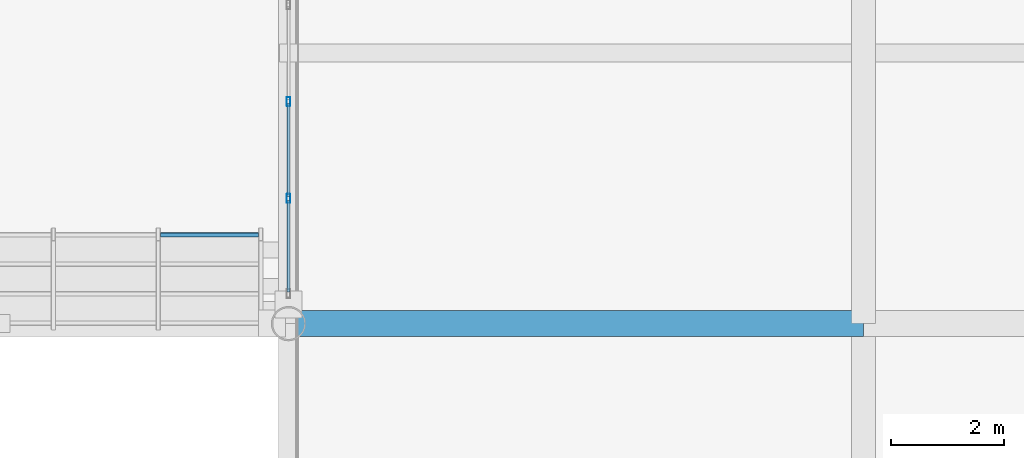
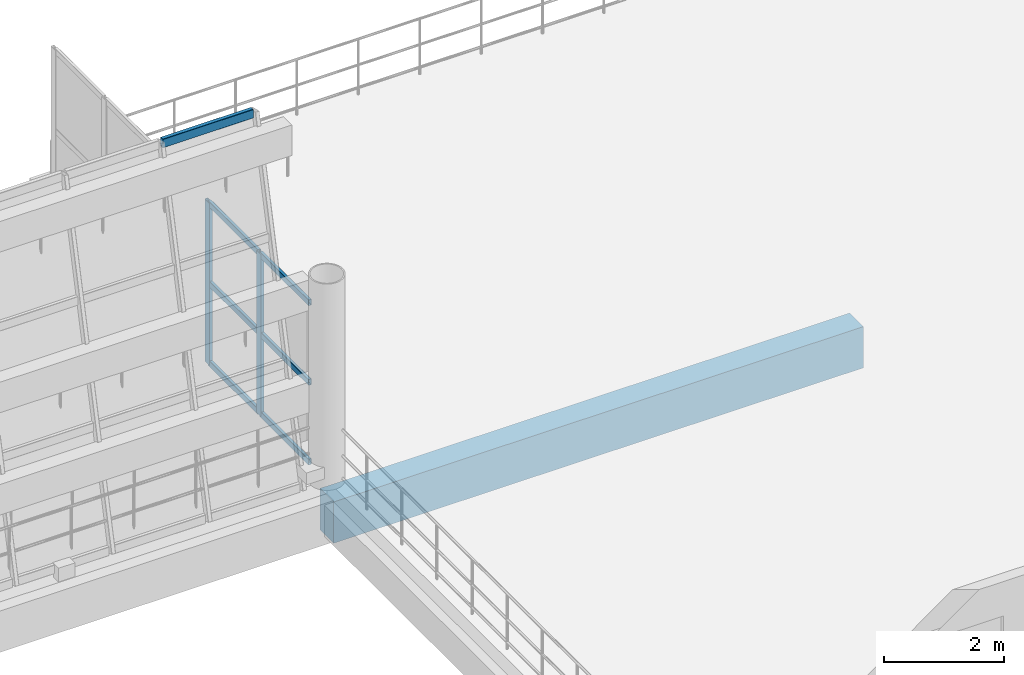
# One storey, part 81 of 157: 9 members, 1 beam, 2 elements without a shape of their own.
"""IFC4 building model written with IfcOpenShell, lengths in metres."""

from ifc_helpers import new_model, si_unit, direction, frame, origin, origin_2d, place, context, subcontext, project, spatial, rectangle, hollow_rectangle, extrude, material, material_profile, profile_set, type_object, element, aggregate, save


model = new_model("IFC4")

# Units and contexts
model_context = context("Model", 3, precision=1e-05, world=origin(), true_north=direction((0.0, 1.0)))
body_context = subcontext(model_context, "Body", "Model", "MODEL_VIEW")
ifc_project = project(units=[si_unit("LENGTHUNIT", "METRE"), si_unit("AREAUNIT", "SQUARE_METRE"), si_unit("VOLUMEUNIT", "CUBIC_METRE"), si_unit("PLANEANGLEUNIT", "RADIAN"), si_unit("MASSUNIT", "GRAM", prefix="KILO")], contexts=[model_context])

# Site, building, storey
site_placement = place(None, origin())
site = spatial("IfcSite", under=ifc_project, at=site_placement, CompositionType="ELEMENT")
building_placement = place(site_placement, origin())
building = spatial("IfcBuilding", under=site, at=building_placement, Name="Brelvane Convention Centre", CompositionType="ELEMENT")
storey_placement = place(building_placement, frame((0.0, 0.0, 10.800048828125)))
storey = spatial("IfcBuildingStorey", under=building, at=storey_placement, Name="L02", CompositionType="ELEMENT", Elevation=10.800048828125)

# Curtain wall, members
ifc_material_1 = material(Name="Anodised Aluminium Alloy 6063-T6", Category="aluminium")
curtain_wall_type_1 = type_object("IfcCurtainWallType", Name="Curtain Wall CW-PAV", PredefinedType="USERDEFINED", material=ifc_material_1)
curtain_wall_1_placement = place(storey_placement, origin())
curtain_wall_1 = element("IfcCurtainWall", 1, at=curtain_wall_1_placement, inside=storey, type_object=curtain_wall_type_1, Name="Curtain Wall CW-PAV L02-COURT-E-CW-L02", ObjectType="UNITISED", PredefinedType="USERDEFINED")
ifc_material_2 = material(Name="Anodised Aluminium Alloy 6063-T6", Category="aluminium")
ifc_material_profile_1 = material_profile(ifc_material_2, hollow_rectangle(XDim=0.06494140625, YDim=0.159912109375, WallThickness=0.00390625, InnerFilletRadius=0.00390625, OuterFilletRadius=0.008056640625, at=origin_2d()), Name="ALU-M 160x65x4.0")
ifc_profile_set_1 = profile_set([ifc_material_profile_1], Name="Anodised Aluminium Alloy 6063-T6")
member_type_1 = type_object("IfcMemberType", Name="Curtain Mullion CW-M3", PredefinedType="MULLION", material=ifc_profile_set_1)
member_1_placement = place(storey_placement, frame((142.800048828125, 101.820068359375, 0.0), z_axis=(0.0, 0.0, 1.0), x_axis=(-1.0, 0.0, 0.0)))
member_1 = element("IfcMember", 2, at=member_1_placement, type_object=member_type_1, Name="CW-PAV mullion 2", PredefinedType="MULLION", context=body_context, shape_type="SweptSolid", body=[
    extrude(hollow_rectangle(XDim=0.06494140625, YDim=0.159912109375, WallThickness=0.00390625, InnerFilletRadius=0.00390625, OuterFilletRadius=0.008056640625, at=origin_2d()), origin(), (0.0, 0.0, 1.0), 3.300048828125),
])
member_2_placement = place(storey_placement, frame((142.800048828125, 103.5400390625, 0.0), z_axis=(0.0, 0.0, 1.0), x_axis=(-1.0, 0.0, 0.0)))
member_2 = element("IfcMember", 3, at=member_2_placement, type_object=member_type_1, Name="CW-PAV mullion 3", PredefinedType="MULLION", context=body_context, shape_type="SweptSolid", body=[
    extrude(hollow_rectangle(XDim=0.06494140625, YDim=0.159912109375, WallThickness=0.00390625, InnerFilletRadius=0.00390625, OuterFilletRadius=0.008056640625, at=origin_2d()), origin(), (0.0, 0.0, 1.0), 3.300048828125),
])

# Curtain wall, member
ifc_material_3 = material(Name="Anodised Aluminium Alloy 6063-T6", Category="aluminium")
curtain_wall_type_2 = type_object("IfcCurtainWallType", Name="Curtain Wall CW-HULL-N", PredefinedType="USERDEFINED", material=ifc_material_3)
curtain_wall_2_placement = place(storey_placement, origin())
curtain_wall_2 = element("IfcCurtainWall", 4, at=curtain_wall_2_placement, inside=storey, type_object=curtain_wall_type_2, Name="Curtain Wall CW-HULL-N L02-V1N-HULL-14", ObjectType="UNITISED", PredefinedType="USERDEFINED")
ifc_material_4 = material(Name="Anodised Aluminium Alloy 6063-T6", Category="aluminium")
ifc_material_profile_2 = material_profile(ifc_material_4, hollow_rectangle(XDim=0.080078125, YDim=0.179931640625, WallThickness=0.0048828125, InnerFilletRadius=0.0048828125, OuterFilletRadius=0.010009765625, at=origin_2d()), Name="ALU-T 180x80x5.0")
ifc_profile_set_2 = profile_set([ifc_material_profile_2], Name="Anodised Aluminium Alloy 6063-T6")
member_type_2 = type_object("IfcMemberType", Name="Curtain Transom CW-T1", PredefinedType="USERDEFINED", material=ifc_profile_set_2)
member_3_placement = place(storey_placement, frame((140.530029296875, 101.173828125, 6.7099609375), z_axis=(1.0, 0.0, 0.0), x_axis=(0.0, 1.0, 0.0)))
member_3 = element("IfcMember", 5, at=member_3_placement, type_object=member_type_2, Name="CW-HULL-N transom 5.4", ObjectType="TRANSOM", PredefinedType="USERDEFINED", context=body_context, shape_type="SweptSolid", body=[
    extrude(hollow_rectangle(XDim=0.080078125, YDim=0.179931640625, WallThickness=0.0048828125, InnerFilletRadius=0.0048828125, OuterFilletRadius=0.010009765625, at=origin_2d()), origin(), (0.0, 0.0, 1.0), 1.739990234375),
])
aggregate(curtain_wall_2, [member_3])

# Member
ifc_material_5 = material(Name="Anodised Aluminium Alloy 6063-T6", Category="aluminium")
ifc_material_profile_3 = material_profile(ifc_material_5, hollow_rectangle(XDim=0.06005859375, YDim=0.1201171875, WallThickness=0.00390625, InnerFilletRadius=0.00390625, OuterFilletRadius=0.008056640625, at=origin_2d()), Name="ALU-T 120x60x4.0")
ifc_profile_set_3 = profile_set([ifc_material_profile_3], Name="Anodised Aluminium Alloy 6063-T6")
member_type_3 = type_object("IfcMemberType", Name="Curtain Transom CW-T3", PredefinedType="USERDEFINED", material=ifc_profile_set_3)
member_4_placement = place(storey_placement, frame((142.800048828125, 100.1650390625, 0.030029296875), z_axis=(0.0, 1.0, 0.0), x_axis=(-1.0, 0.0, 0.0)))
member_4 = element("IfcMember", 6, at=member_4_placement, type_object=member_type_3, Name="CW-PAV transom 1.1", ObjectType="TRANSOM", PredefinedType="USERDEFINED", context=body_context, shape_type="SweptSolid", body=[
    extrude(hollow_rectangle(XDim=0.06005859375, YDim=0.1201171875, WallThickness=0.00390625, InnerFilletRadius=0.00390625, OuterFilletRadius=0.008056640625, at=origin_2d()), origin(), (0.0, 0.0, 1.0), 1.62255859375),
])

member_5_placement = place(storey_placement, frame((142.800048828125, 100.1650390625, 1.64990234375), z_axis=(0.0, 1.0, 0.0), x_axis=(-1.0, 0.0, 0.0)))
member_5 = element("IfcMember", 7, at=member_5_placement, type_object=member_type_3, Name="CW-PAV transom 1.2", ObjectType="TRANSOM", PredefinedType="USERDEFINED", context=body_context, shape_type="SweptSolid", body=[
    extrude(hollow_rectangle(XDim=0.06005859375, YDim=0.1201171875, WallThickness=0.00390625, InnerFilletRadius=0.00390625, OuterFilletRadius=0.008056640625, at=origin_2d()), origin(), (0.0, 0.0, 1.0), 1.62255859375),
])

member_6_placement = place(storey_placement, frame((142.800048828125, 100.1650390625, 3.27001953125), z_axis=(0.0, 1.0, 0.0), x_axis=(-1.0, 0.0, 0.0)))
member_6 = element("IfcMember", 8, at=member_6_placement, type_object=member_type_3, Name="CW-PAV transom 1.3", ObjectType="TRANSOM", PredefinedType="USERDEFINED", context=body_context, shape_type="SweptSolid", body=[
    extrude(hollow_rectangle(XDim=0.06005859375, YDim=0.1201171875, WallThickness=0.00390625, InnerFilletRadius=0.00390625, OuterFilletRadius=0.008056640625, at=origin_2d()), origin(), (0.0, 0.0, 1.0), 1.62255859375),
])

member_7_placement = place(storey_placement, frame((142.800048828125, 101.8525390625, 0.030029296875), z_axis=(0.0, 1.0, 0.0), x_axis=(-1.0, 0.0, 0.0)))
member_7 = element("IfcMember", 9, at=member_7_placement, type_object=member_type_3, Name="CW-PAV transom 2.1", ObjectType="TRANSOM", PredefinedType="USERDEFINED", context=body_context, shape_type="SweptSolid", body=[
    extrude(hollow_rectangle(XDim=0.06005859375, YDim=0.1201171875, WallThickness=0.00390625, InnerFilletRadius=0.00390625, OuterFilletRadius=0.008056640625, at=origin_2d()), origin(), (0.0, 0.0, 1.0), 1.655029296875),
])

member_8_placement = place(storey_placement, frame((142.800048828125, 101.8525390625, 1.64990234375), z_axis=(0.0, 1.0, 0.0), x_axis=(-1.0, 0.0, 0.0)))
member_8 = element("IfcMember", 10, at=member_8_placement, type_object=member_type_3, Name="CW-PAV transom 2.2", ObjectType="TRANSOM", PredefinedType="USERDEFINED", context=body_context, shape_type="SweptSolid", body=[
    extrude(hollow_rectangle(XDim=0.06005859375, YDim=0.1201171875, WallThickness=0.00390625, InnerFilletRadius=0.00390625, OuterFilletRadius=0.008056640625, at=origin_2d()), origin(), (0.0, 0.0, 1.0), 1.655029296875),
])

member_9_placement = place(storey_placement, frame((142.800048828125, 101.8525390625, 3.27001953125), z_axis=(0.0, 1.0, 0.0), x_axis=(-1.0, 0.0, 0.0)))
member_9 = element("IfcMember", 11, at=member_9_placement, type_object=member_type_3, Name="CW-PAV transom 2.3", ObjectType="TRANSOM", PredefinedType="USERDEFINED", context=body_context, shape_type="SweptSolid", body=[
    extrude(hollow_rectangle(XDim=0.06005859375, YDim=0.1201171875, WallThickness=0.00390625, InnerFilletRadius=0.00390625, OuterFilletRadius=0.008056640625, at=origin_2d()), origin(), (0.0, 0.0, 1.0), 1.655029296875),
])

aggregate(curtain_wall_1, [member_1, member_2, member_4, member_5, member_6, member_7, member_8, member_9])

# Beam
ifc_material_6 = material(Name="Concrete M40", Category="concrete")
ifc_material_profile_4 = material_profile(ifc_material_6, rectangle(XDim=0.4599609375, YDim=0.840087890625, at=origin_2d()), Name="RC 460x840")
ifc_profile_set_4 = profile_set([ifc_material_profile_4], Name="Concrete M40")
beam_type = type_object("IfcBeamType", Name="RC Beam B-RC11 (RC 460x840)", PredefinedType="BEAM", material=ifc_profile_set_4)
beam_placement = place(storey_placement, frame((142.800048828125, 99.60009765625, -0.72998046875), z_axis=(1.0, 0.0, 0.0), x_axis=(0.0, 1.0, 0.0)))
element("IfcBeam", 12, at=beam_placement, inside=storey, type_object=beam_type, Name="L02 Beam 15-16/K", PredefinedType="BEAM", context=body_context, shape_type="SweptSolid", body=[
    extrude(rectangle(XDim=0.4599609375, YDim=0.840087890625, at=origin_2d()), origin(), (0.0, 0.0, 1.0), 10.199951171875),
])

save(model, "model.ifc")
